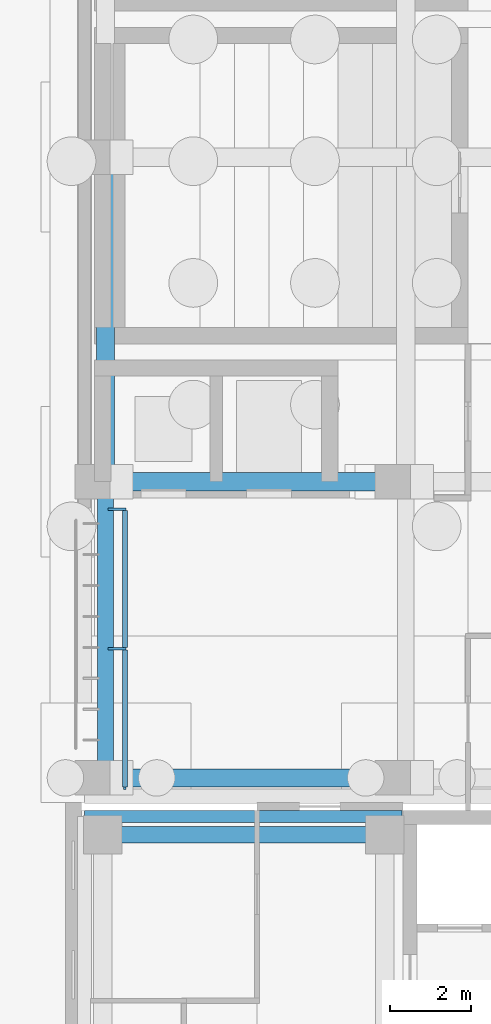
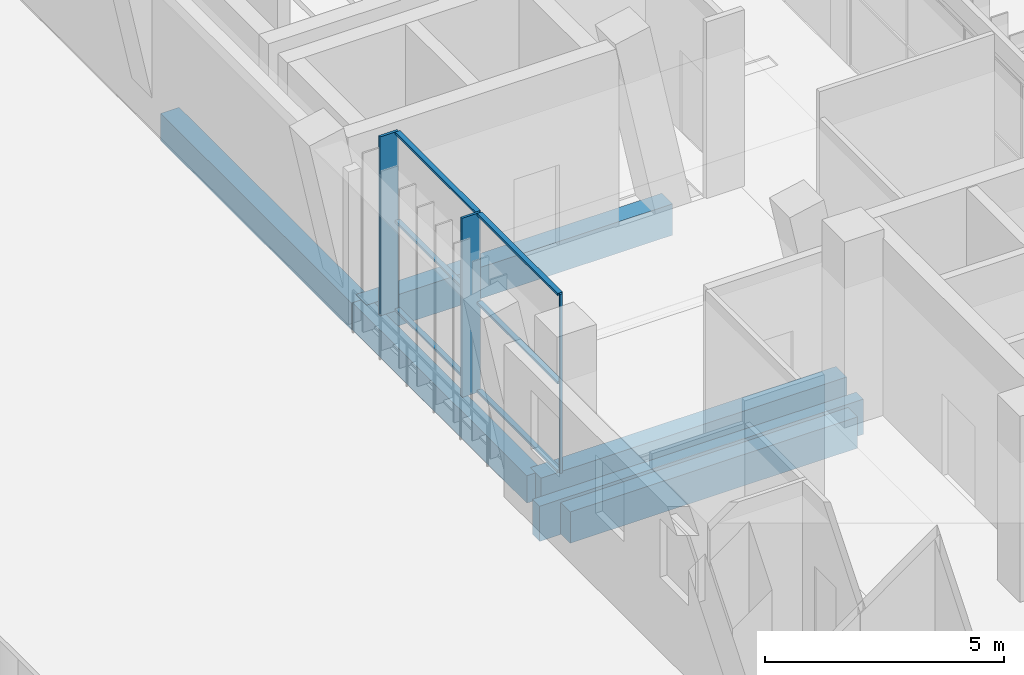
# One storey, part 44 of 144: 9 members, 6 beams, 1 element without a shape of its own.
"""IFC4 building model written with IfcOpenShell, lengths in metres."""

from ifc_helpers import new_model, si_unit, direction, frame, origin, origin_2d, place, context, subcontext, project, spatial, rectangle, extrude, material, material_profile, profile_set, type_object, element, aggregate, save


model = new_model("IFC4")

# Units and contexts
model_context = context("Model", 3, precision=1e-05, world=origin(), true_north=direction((0.0, 1.0)))
body_context = subcontext(model_context, "Body", "Model", "MODEL_VIEW")
ifc_project = project(units=[si_unit("LENGTHUNIT", "METRE"), si_unit("AREAUNIT", "SQUARE_METRE"), si_unit("VOLUMEUNIT", "CUBIC_METRE"), si_unit("PLANEANGLEUNIT", "RADIAN"), si_unit("MASSUNIT", "GRAM", prefix="KILO")], contexts=[model_context])

# Site, building, storey
site_placement = place(None, origin())
site = spatial("IfcSite", under=ifc_project, at=site_placement, CompositionType="ELEMENT")
building_placement = place(site_placement, origin())
building = spatial("IfcBuilding", under=site, at=building_placement, Name="Lantern Court Media Centre", CompositionType="ELEMENT")
storey_placement = place(building_placement, origin())
storey = spatial("IfcBuildingStorey", under=building, at=storey_placement, Name="L00", CompositionType="ELEMENT", Elevation=0.0)

# Curtain wall, members
ifc_material_1 = material(Name="Curtain wall bay 3000")
curtain_wall_type = type_object("IfcCurtainWallType", Name="Curtain wall bay 3000", PredefinedType="NOTDEFINED", material=ifc_material_1)
curtain_wall_placement = place(storey_placement, origin())
curtain_wall = element("IfcCurtainWall", 1, at=curtain_wall_placement, inside=storey, type_object=curtain_wall_type, Name="Curtain wall W outer L00", PredefinedType="NOTDEFINED")
ifc_material_2 = material(Name="Anodised aluminium", Category="aluminium")
ifc_material_profile_1 = material_profile(ifc_material_2, rectangle(XDim=0.449951171875, YDim=0.06005859375, at=origin_2d()), Name="AL 60x450")
ifc_profile_set_1 = profile_set([ifc_material_profile_1], Name="Anodised aluminium")
member_type_1 = type_object("IfcMemberType", Name="Curtain wall mullion 60x450", PredefinedType="MULLION", material=ifc_profile_set_1)
member_1_placement = place(storey_placement, frame((8.955078125, 67.885009765625, 0.0), z_axis=(0.0, 0.0, 1.0), x_axis=(-1.0, 0.0, 0.0)))
member_1 = element("IfcMember", 2, at=member_1_placement, type_object=member_type_1, Name="CW1 mullion 2", PredefinedType="MULLION", context=body_context, shape_type="SweptSolid", body=[
    extrude(rectangle(XDim=0.449951171875, YDim=0.06005859375, at=origin_2d()), origin(), (0.0, 0.0, 1.0), 4.580078125),
])
member_2_placement = place(storey_placement, frame((8.955078125, 71.320068359375, 0.0), z_axis=(0.0, 0.0, 1.0), x_axis=(-1.0, 0.0, 0.0)))
member_2 = element("IfcMember", 3, at=member_2_placement, type_object=member_type_1, Name="CW1 mullion 3", PredefinedType="MULLION", context=body_context, shape_type="SweptSolid", body=[
    extrude(rectangle(XDim=0.449951171875, YDim=0.06005859375, at=origin_2d()), origin(), (0.0, 0.0, 1.0), 4.580078125),
])
ifc_material_profile_2 = material_profile(ifc_material_2, rectangle(XDim=0.06005859375, YDim=0.06005859375, at=origin_2d()), Name="AL 60x60")
ifc_profile_set_2 = profile_set([ifc_material_profile_2], Name="Anodised aluminium")
member_type_2 = type_object("IfcMemberType", Name="Curtain wall mullion 60x60", PredefinedType="MULLION", material=ifc_profile_set_2)
member_3_placement = place(storey_placement, frame((9.14990234375, 64.449951171875, 0.0), z_axis=(0.0, 0.0, 1.0), x_axis=(-1.0, 0.0, 0.0)))
member_3 = element("IfcMember", 4, at=member_3_placement, type_object=member_type_2, Name="CW1 mullion 1", PredefinedType="MULLION", context=body_context, shape_type="SweptSolid", body=[
    extrude(rectangle(XDim=0.06005859375, YDim=0.06005859375, at=origin_2d()), origin(), (0.0, 0.0, 1.0), 4.580078125),
])
ifc_material_profile_3 = material_profile(ifc_material_2, rectangle(XDim=0.1201171875, YDim=0.06005859375, at=origin_2d()), Name="AL 60x120")
ifc_profile_set_3 = profile_set([ifc_material_profile_3], Name="Anodised aluminium")
member_type_3 = type_object("IfcMemberType", Name="Curtain wall transom 60x120", PredefinedType="USERDEFINED", material=ifc_profile_set_3)
member_4_placement = place(storey_placement, frame((9.14990234375, 64.47998046875, 0.030029296875), z_axis=(0.0, 1.0, 0.0), x_axis=(-1.0, 0.0, 0.0)))
member_4 = element("IfcMember", 5, at=member_4_placement, type_object=member_type_3, Name="CW1 transom 1.1", ObjectType="TRANSOM", PredefinedType="USERDEFINED", context=body_context, shape_type="SweptSolid", body=[
    extrude(rectangle(XDim=0.1201171875, YDim=0.06005859375, at=origin_2d()), origin(), (0.0, 0.0, 1.0), 3.375),
])
member_5_placement = place(storey_placement, frame((9.14990234375, 64.47998046875, 2.2900390625), z_axis=(0.0, 1.0, 0.0), x_axis=(-1.0, 0.0, 0.0)))
member_5 = element("IfcMember", 6, at=member_5_placement, type_object=member_type_3, Name="CW1 transom 1.2", ObjectType="TRANSOM", PredefinedType="USERDEFINED", context=body_context, shape_type="SweptSolid", body=[
    extrude(rectangle(XDim=0.1201171875, YDim=0.06005859375, at=origin_2d()), origin(), (0.0, 0.0, 1.0), 3.375),
])
member_6_placement = place(storey_placement, frame((9.14990234375, 64.47998046875, 4.550048828125), z_axis=(0.0, 1.0, 0.0), x_axis=(-1.0, 0.0, 0.0)))
member_6 = element("IfcMember", 7, at=member_6_placement, type_object=member_type_3, Name="CW1 transom 1.3", ObjectType="TRANSOM", PredefinedType="USERDEFINED", context=body_context, shape_type="SweptSolid", body=[
    extrude(rectangle(XDim=0.1201171875, YDim=0.06005859375, at=origin_2d()), origin(), (0.0, 0.0, 1.0), 3.375),
])
member_7_placement = place(storey_placement, frame((9.14990234375, 67.9150390625, 0.030029296875), z_axis=(0.0, 1.0, 0.0), x_axis=(-1.0, 0.0, 0.0)))
member_7 = element("IfcMember", 8, at=member_7_placement, type_object=member_type_3, Name="CW1 transom 2.1", ObjectType="TRANSOM", PredefinedType="USERDEFINED", context=body_context, shape_type="SweptSolid", body=[
    extrude(rectangle(XDim=0.1201171875, YDim=0.06005859375, at=origin_2d()), origin(), (0.0, 0.0, 1.0), 3.375),
])
member_8_placement = place(storey_placement, frame((9.14990234375, 67.9150390625, 2.2900390625), z_axis=(0.0, 1.0, 0.0), x_axis=(-1.0, 0.0, 0.0)))
member_8 = element("IfcMember", 9, at=member_8_placement, type_object=member_type_3, Name="CW1 transom 2.2", ObjectType="TRANSOM", PredefinedType="USERDEFINED", context=body_context, shape_type="SweptSolid", body=[
    extrude(rectangle(XDim=0.1201171875, YDim=0.06005859375, at=origin_2d()), origin(), (0.0, 0.0, 1.0), 3.375),
])
member_9_placement = place(storey_placement, frame((9.14990234375, 67.9150390625, 4.550048828125), z_axis=(0.0, 1.0, 0.0), x_axis=(-1.0, 0.0, 0.0)))
member_9 = element("IfcMember", 10, at=member_9_placement, type_object=member_type_3, Name="CW1 transom 2.3", ObjectType="TRANSOM", PredefinedType="USERDEFINED", context=body_context, shape_type="SweptSolid", body=[
    extrude(rectangle(XDim=0.1201171875, YDim=0.06005859375, at=origin_2d()), origin(), (0.0, 0.0, 1.0), 3.375),
])
aggregate(curtain_wall, [member_3, member_1, member_2, member_4, member_5, member_6, member_7, member_8, member_9])

# Beams
ifc_material_3 = material(Name="Concrete C35", Category="concrete")
ifc_material_profile_4 = material_profile(ifc_material_3, rectangle(XDim=0.300048828125, YDim=0.89990234375, at=origin_2d()), Name="RC 300x900")
ifc_profile_set_4 = profile_set([ifc_material_profile_4], Name="Concrete C35")
beam_type_1 = type_object("IfcBeamType", Name="RC BEAM 300x900", PredefinedType="BEAM", material=ifc_profile_set_4)
beam_1_placement = place(storey_placement, frame((8.14990234375, 63.75, -0.449951171875), z_axis=(1.0, 0.0, 0.0), x_axis=(0.0, 1.0, 0.0)))
element("IfcBeam", 11, at=beam_1_placement, inside=storey, type_object=beam_type_1, Name="EB-SW-L00-N", PredefinedType="BEAM", context=body_context, shape_type="SweptSolid", body=[
    extrude(rectangle(XDim=0.300048828125, YDim=0.89990234375, at=origin_2d()), origin(), (0.0, 0.0, 1.0), 7.830078125),
])
ifc_material_profile_5 = material_profile(ifc_material_3, rectangle(XDim=0.39990234375, YDim=0.699951171875, at=origin_2d()), Name="RC 400x700")
ifc_profile_set_5 = profile_set([ifc_material_profile_5], Name="Concrete C35")
beam_type_2 = type_object("IfcBeamType", Name="RC BEAM 400x700", PredefinedType="BEAM", material=ifc_profile_set_5)
beam_2_placement = place(storey_placement, frame((8.6728515625, 64.699951171875, -0.35009765625), z_axis=(0.0, 1.0, 0.0), x_axis=(-1.0, 0.0, 0.0)))
element("IfcBeam", 12, at=beam_2_placement, inside=storey, type_object=beam_type_2, Name="LB-W-L00-0-0", PredefinedType="BEAM", context=body_context, shape_type="SweptSolid", body=[
    extrude(rectangle(XDim=0.39990234375, YDim=0.699951171875, at=origin_2d()), origin(), (0.0, 0.0, 1.0), 7.300048828125),
])
ifc_material_profile_6 = material_profile(ifc_material_3, rectangle(XDim=0.39990234375, YDim=0.800048828125, at=origin_2d()), Name="RC 400x800")
ifc_profile_set_6 = profile_set([ifc_material_profile_6], Name="Concrete C35")
beam_type_3 = type_object("IfcBeamType", Name="RC BEAM 400x800", PredefinedType="BEAM", material=ifc_profile_set_6)
beam_3_placement = place(storey_placement, frame((8.60009765625, 63.300048828125, -0.39990234375), z_axis=(1.0, 0.0, 0.0), x_axis=(0.0, 1.0, 0.0)))
element("IfcBeam", 13, at=beam_3_placement, inside=storey, type_object=beam_type_3, Name="BB-SW-L00-Y0-63", PredefinedType="BEAM", context=body_context, shape_type="SweptSolid", body=[
    extrude(rectangle(XDim=0.39990234375, YDim=0.800048828125, at=origin_2d()), origin(), (0.0, 0.0, 1.0), 6.949951171875),
])
ifc_material_profile_7 = material_profile(ifc_material_3, rectangle(XDim=0.449951171875, YDim=0.699951171875, at=origin_2d()), Name="RC 450x700")
ifc_profile_set_7 = profile_set([ifc_material_profile_7], Name="Concrete C35")
beam_type_4 = type_object("IfcBeamType", Name="RC BEAM 450x700", PredefinedType="BEAM", material=ifc_profile_set_7)
beam_4_placement = place(storey_placement, frame((8.6728515625, 72.0, -0.35009765625), z_axis=(0.0, 1.0, 0.0), x_axis=(-1.0, 0.0, 0.0)))
element("IfcBeam", 14, at=beam_4_placement, inside=storey, type_object=beam_type_4, Name="LB-W-L00-0-1", PredefinedType="BEAM", context=body_context, shape_type="SweptSolid", body=[
    extrude(rectangle(XDim=0.449951171875, YDim=0.699951171875, at=origin_2d()), origin(), (0.0, 0.0, 1.0), 8.0),
])
ifc_material_profile_8 = material_profile(ifc_material_3, rectangle(XDim=0.449951171875, YDim=0.800048828125, at=origin_2d()), Name="RC 450x800")
ifc_profile_set_8 = profile_set([ifc_material_profile_8], Name="Concrete C35")
beam_type_5 = type_object("IfcBeamType", Name="RC BEAM 450x800", PredefinedType="BEAM", material=ifc_profile_set_8)
for number, where, z_axis, x_axis, name in (
    (15, (8.683349609375, 64.699951171875, -0.39990234375), (1.0, 0.0, 0.0), (0.0, 1.0, 0.0), "TB-W-L00-0-1"),
    (16, (8.683349609375, 72.0, -0.39990234375), (1.0, 0.0, 0.0), (0.0, 1.0, 0.0), "TB-W-L00-1-1"),
):
    element("IfcBeam", number, at=place(storey_placement, frame(where, z_axis=z_axis, x_axis=x_axis)), inside=storey, type_object=beam_type_5, Name=name, PredefinedType="BEAM", context=body_context, shape_type="SweptSolid", body=[
        extrude(rectangle(XDim=0.449951171875, YDim=0.800048828125, at=origin_2d()), origin(), (0.0, 0.0, 1.0), 7.39990234375),
    ])

save(model, "model.ifc")
